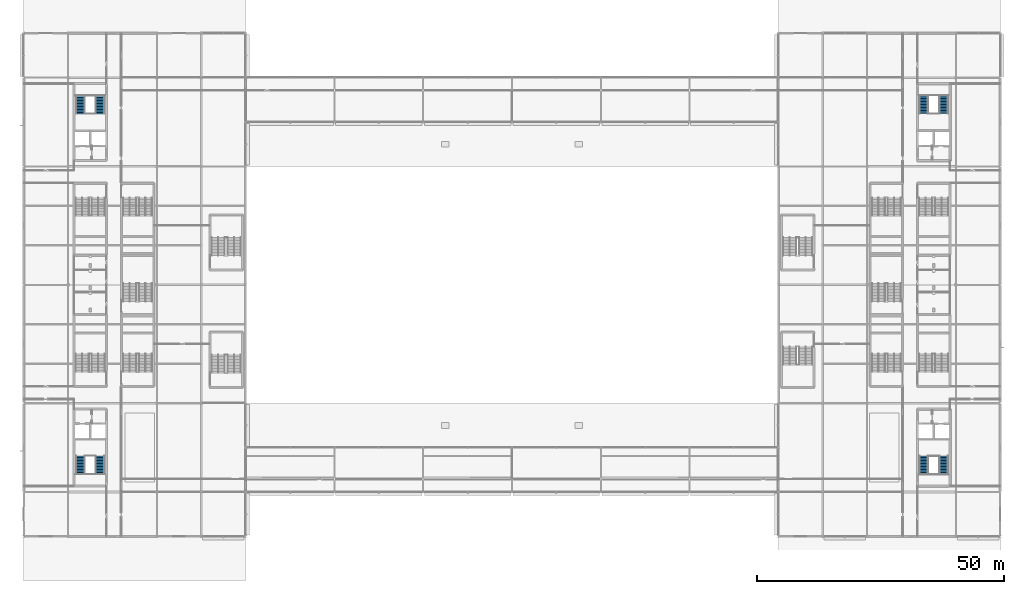
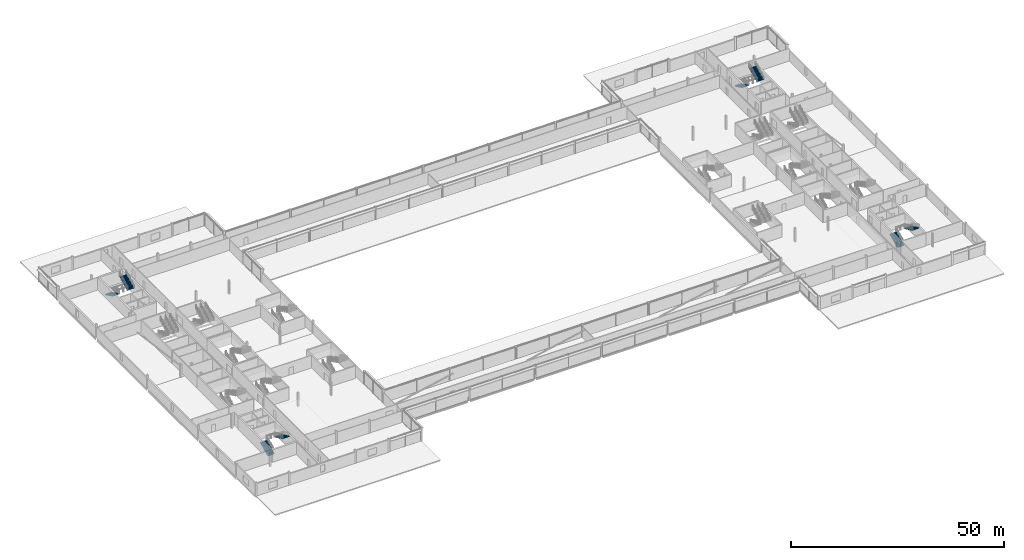
# One storey, part 72 of 105: 8 stair flights, 4 elements without a shape of their own.
"""IFC4 building model written with IfcOpenShell, lengths in metres."""

from ifc_helpers import new_model, si_unit, direction, frame, origin, place, context, subcontext, project, spatial, polyline, outline, extrude, material, type_object, element, aggregate, save


model = new_model("IFC4")

# Units and contexts
model_context = context("Model", 3, precision=1e-05, world=origin(), true_north=direction((0.0, 1.0)))
body_context = subcontext(model_context, "Body", "Model", "MODEL_VIEW")
ifc_project = project(units=[si_unit("LENGTHUNIT", "METRE"), si_unit("AREAUNIT", "SQUARE_METRE"), si_unit("VOLUMEUNIT", "CUBIC_METRE"), si_unit("PLANEANGLEUNIT", "RADIAN"), si_unit("MASSUNIT", "GRAM", prefix="KILO")], contexts=[model_context])

# Site, building, storey
site_placement = place(None, origin())
site = spatial("IfcSite", under=ifc_project, at=site_placement, CompositionType="ELEMENT")
building_placement = place(site_placement, origin())
building = spatial("IfcBuilding", under=site, at=building_placement, Name="Kisiwana Market Hall", CompositionType="ELEMENT")
storey_placement = place(building_placement, frame((0.0, 0.0, 21.60009765625)))
storey = spatial("IfcBuildingStorey", under=building, at=storey_placement, Name="L04", CompositionType="ELEMENT", Elevation=21.60009765625)

# Stair, stair flights
ifc_material_1 = material(Name="Concrete C32/40", Category="concrete")
stair_type = type_object("IfcStairType", Name="ST-TWR-3900", PredefinedType="TWO_STRAIGHT_RUN_STAIR", material=ifc_material_1)
stair_1_placement = place(storey_placement, origin())
stair_1 = element("IfcStair", 1, at=stair_1_placement, inside=storey, type_object=stair_type, Name="Escape stair ST-W2-L04", PredefinedType="TWO_STRAIGHT_RUN_STAIR")
ifc_material_2 = material(Name="Concrete C32/40", Category="concrete")
stair_flight_type = type_object("IfcStairFlightType", Name="SF-TWR-3900", PredefinedType="STRAIGHT", material=ifc_material_2)
stair_flight_1_placement = place(storey_placement, frame((11.5, 21.674560546875, 0.0), z_axis=(0.0, 0.0, 1.0), x_axis=(0.0, 1.0, 0.0)))
stair_flight_1 = element("IfcStairFlight", 2, at=stair_flight_1_placement, type_object=stair_flight_type, Name="ST-W2-L04 flight 1", NumberOfRisers=13, NumberOfTreads=12, PredefinedType="STRAIGHT", RiserHeight=0.15, TreadLength=0.305, context=body_context, shape_type="SweptSolid", body=[
    extrude(outline(polyline([(0.0, 0.0), (0.0, 0.14990234375), (0.304931640625, 0.14990234375), (0.304931640625, 0.300048828125), (0.610107421875, 0.300048828125), (0.610107421875, 0.449951171875), (0.9150390625, 0.449951171875), (0.9150390625, 0.60009765625), (1.219970703125, 0.60009765625), (1.219970703125, 0.75), (1.52490234375, 0.75), (1.52490234375, 0.89990234375), (1.830078125, 0.89990234375), (1.830078125, 1.050048828125), (2.135009765625, 1.050048828125), (2.135009765625, 1.199951171875), (2.43994140625, 1.199951171875), (2.43994140625, 1.35009765625), (2.7451171875, 1.35009765625), (2.7451171875, 1.5), (3.050048828125, 1.5), (3.050048828125, 1.64990234375), (3.35498046875, 1.64990234375), (3.35498046875, 1.800048828125), (3.659912109375, 1.800048828125), (3.659912109375, 1.949951171875), (3.659912109375, 1.599365234375), (0.40771484375, 0.0), (0.0, 0.0)])), frame((0.0, 0.925048828125, 0.0), z_axis=(0.0, -1.0, 0.0), x_axis=(1.0, 0.0, 0.0)), (0.0, 0.0, 1.0), 1.85009765625),
])
stair_flight_2_placement = place(storey_placement, frame((15.5, 25.33447265625, 1.949951171875), z_axis=(0.0, 0.0, 1.0), x_axis=(0.0, -1.0, 0.0)))
stair_flight_2 = element("IfcStairFlight", 3, at=stair_flight_2_placement, type_object=stair_flight_type, Name="ST-W2-L04 flight 2", NumberOfRisers=13, NumberOfTreads=12, PredefinedType="STRAIGHT", RiserHeight=0.15, TreadLength=0.305, context=body_context, shape_type="SweptSolid", body=[
    extrude(outline(polyline([(0.0, 0.0), (0.0, 0.14990234375), (0.304931640625, 0.14990234375), (0.304931640625, 0.300048828125), (0.610107421875, 0.300048828125), (0.610107421875, 0.449951171875), (0.9150390625, 0.449951171875), (0.9150390625, 0.60009765625), (1.219970703125, 0.60009765625), (1.219970703125, 0.75), (1.52490234375, 0.75), (1.52490234375, 0.89990234375), (1.830078125, 0.89990234375), (1.830078125, 1.050048828125), (2.135009765625, 1.050048828125), (2.135009765625, 1.199951171875), (2.43994140625, 1.199951171875), (2.43994140625, 1.35009765625), (2.7451171875, 1.35009765625), (2.7451171875, 1.5), (3.050048828125, 1.5), (3.050048828125, 1.64990234375), (3.35498046875, 1.64990234375), (3.35498046875, 1.800048828125), (3.659912109375, 1.800048828125), (3.659912109375, 1.949951171875), (3.659912109375, 1.599365234375), (0.40771484375, 0.0), (0.0, 0.0)])), frame((0.0, 0.925048828125, 0.0), z_axis=(0.0, -1.0, 0.0), x_axis=(1.0, 0.0, 0.0)), (0.0, 0.0, 1.0), 1.85009765625),
])
aggregate(stair_1, [stair_flight_1, stair_flight_2])

stair_2_placement = place(storey_placement, origin())
stair_2 = element("IfcStair", 4, at=stair_2_placement, inside=storey, type_object=stair_type, Name="Escape stair ST-W1-L04", PredefinedType="TWO_STRAIGHT_RUN_STAIR")
stair_flight_3_placement = place(storey_placement, frame((11.5, 98.325439453125, 0.0), z_axis=(0.0, 0.0, 1.0), x_axis=(0.0, -1.0, 0.0)))
stair_flight_3 = element("IfcStairFlight", 5, at=stair_flight_3_placement, type_object=stair_flight_type, Name="ST-W1-L04 flight 1", NumberOfRisers=13, NumberOfTreads=12, PredefinedType="STRAIGHT", RiserHeight=0.15, TreadLength=0.305, context=body_context, shape_type="SweptSolid", body=[
    extrude(outline(polyline([(0.0, 0.0), (0.0, 0.14990234375), (0.304931640625, 0.14990234375), (0.304931640625, 0.300048828125), (0.610107421875, 0.300048828125), (0.610107421875, 0.449951171875), (0.9150390625, 0.449951171875), (0.9150390625, 0.60009765625), (1.219970703125, 0.60009765625), (1.219970703125, 0.75), (1.52490234375, 0.75), (1.52490234375, 0.89990234375), (1.830078125, 0.89990234375), (1.830078125, 1.050048828125), (2.135009765625, 1.050048828125), (2.135009765625, 1.199951171875), (2.43994140625, 1.199951171875), (2.43994140625, 1.35009765625), (2.7451171875, 1.35009765625), (2.7451171875, 1.5), (3.050048828125, 1.5), (3.050048828125, 1.64990234375), (3.35498046875, 1.64990234375), (3.35498046875, 1.800048828125), (3.659912109375, 1.800048828125), (3.659912109375, 1.949951171875), (3.659912109375, 1.599365234375), (0.40771484375, 0.0), (0.0, 0.0)])), frame((0.0, 0.925048828125, 0.0), z_axis=(0.0, -1.0, 0.0), x_axis=(1.0, 0.0, 0.0)), (0.0, 0.0, 1.0), 1.85009765625),
])
stair_flight_4_placement = place(storey_placement, frame((15.5, 94.66552734375, 1.949951171875), z_axis=(0.0, 0.0, 1.0), x_axis=(0.0, 1.0, 0.0)))
stair_flight_4 = element("IfcStairFlight", 6, at=stair_flight_4_placement, type_object=stair_flight_type, Name="ST-W1-L04 flight 2", NumberOfRisers=13, NumberOfTreads=12, PredefinedType="STRAIGHT", RiserHeight=0.15, TreadLength=0.305, context=body_context, shape_type="SweptSolid", body=[
    extrude(outline(polyline([(0.0, 0.0), (0.0, 0.14990234375), (0.304931640625, 0.14990234375), (0.304931640625, 0.300048828125), (0.610107421875, 0.300048828125), (0.610107421875, 0.449951171875), (0.9150390625, 0.449951171875), (0.9150390625, 0.60009765625), (1.219970703125, 0.60009765625), (1.219970703125, 0.75), (1.52490234375, 0.75), (1.52490234375, 0.89990234375), (1.830078125, 0.89990234375), (1.830078125, 1.050048828125), (2.135009765625, 1.050048828125), (2.135009765625, 1.199951171875), (2.43994140625, 1.199951171875), (2.43994140625, 1.35009765625), (2.7451171875, 1.35009765625), (2.7451171875, 1.5), (3.050048828125, 1.5), (3.050048828125, 1.64990234375), (3.35498046875, 1.64990234375), (3.35498046875, 1.800048828125), (3.659912109375, 1.800048828125), (3.659912109375, 1.949951171875), (3.659912109375, 1.599365234375), (0.40771484375, 0.0), (0.0, 0.0)])), frame((0.0, 0.925048828125, 0.0), z_axis=(0.0, -1.0, 0.0), x_axis=(1.0, 0.0, 0.0)), (0.0, 0.0, 1.0), 1.85009765625),
])
aggregate(stair_2, [stair_flight_3, stair_flight_4])

stair_3_placement = place(storey_placement, origin())
stair_3 = element("IfcStair", 7, at=stair_3_placement, inside=storey, type_object=stair_type, Name="Escape stair ST-E2-L04", PredefinedType="TWO_STRAIGHT_RUN_STAIR")
stair_flight_5_placement = place(storey_placement, frame((182.47509765625, 21.6494140625, 0.0), z_axis=(0.0, 0.0, 1.0), x_axis=(0.0, 1.0, 0.0)))
stair_flight_5 = element("IfcStairFlight", 8, at=stair_flight_5_placement, type_object=stair_flight_type, Name="ST-E2-L04 flight 1", NumberOfRisers=13, NumberOfTreads=12, PredefinedType="STRAIGHT", RiserHeight=0.15, TreadLength=0.305, context=body_context, shape_type="SweptSolid", body=[
    extrude(outline(polyline([(0.0, 0.0), (0.0, 0.14990234375), (0.304931640625, 0.14990234375), (0.304931640625, 0.300048828125), (0.610107421875, 0.300048828125), (0.610107421875, 0.449951171875), (0.9150390625, 0.449951171875), (0.9150390625, 0.60009765625), (1.219970703125, 0.60009765625), (1.219970703125, 0.75), (1.52490234375, 0.75), (1.52490234375, 0.89990234375), (1.830078125, 0.89990234375), (1.830078125, 1.050048828125), (2.135009765625, 1.050048828125), (2.135009765625, 1.199951171875), (2.43994140625, 1.199951171875), (2.43994140625, 1.35009765625), (2.7451171875, 1.35009765625), (2.7451171875, 1.5), (3.050048828125, 1.5), (3.050048828125, 1.64990234375), (3.35498046875, 1.64990234375), (3.35498046875, 1.800048828125), (3.659912109375, 1.800048828125), (3.659912109375, 1.949951171875), (3.659912109375, 1.599365234375), (0.40771484375, 0.0), (0.0, 0.0)])), frame((0.0, 0.925048828125, 0.0), z_axis=(0.0, -1.0, 0.0), x_axis=(1.0, 0.0, 0.0)), (0.0, 0.0, 1.0), 1.85009765625),
])
stair_flight_6_placement = place(storey_placement, frame((186.52490234375, 25.3095703125, 1.949951171875), z_axis=(0.0, 0.0, 1.0), x_axis=(0.0, -1.0, 0.0)))
stair_flight_6 = element("IfcStairFlight", 9, at=stair_flight_6_placement, type_object=stair_flight_type, Name="ST-E2-L04 flight 2", NumberOfRisers=13, NumberOfTreads=12, PredefinedType="STRAIGHT", RiserHeight=0.15, TreadLength=0.305, context=body_context, shape_type="SweptSolid", body=[
    extrude(outline(polyline([(0.0, 0.0), (0.0, 0.14990234375), (0.304931640625, 0.14990234375), (0.304931640625, 0.300048828125), (0.610107421875, 0.300048828125), (0.610107421875, 0.449951171875), (0.9150390625, 0.449951171875), (0.9150390625, 0.60009765625), (1.219970703125, 0.60009765625), (1.219970703125, 0.75), (1.52490234375, 0.75), (1.52490234375, 0.89990234375), (1.830078125, 0.89990234375), (1.830078125, 1.050048828125), (2.135009765625, 1.050048828125), (2.135009765625, 1.199951171875), (2.43994140625, 1.199951171875), (2.43994140625, 1.35009765625), (2.7451171875, 1.35009765625), (2.7451171875, 1.5), (3.050048828125, 1.5), (3.050048828125, 1.64990234375), (3.35498046875, 1.64990234375), (3.35498046875, 1.800048828125), (3.659912109375, 1.800048828125), (3.659912109375, 1.949951171875), (3.659912109375, 1.599365234375), (0.40771484375, 0.0), (0.0, 0.0)])), frame((0.0, 0.925048828125, 0.0), z_axis=(0.0, -1.0, 0.0), x_axis=(1.0, 0.0, 0.0)), (0.0, 0.0, 1.0), 1.85009765625),
])
aggregate(stair_3, [stair_flight_5, stair_flight_6])

stair_4_placement = place(storey_placement, origin())
stair_4 = element("IfcStair", 10, at=stair_4_placement, inside=storey, type_object=stair_type, Name="Escape stair ST-E1-L04", PredefinedType="TWO_STRAIGHT_RUN_STAIR")
stair_flight_7_placement = place(storey_placement, frame((182.47509765625, 98.3505859375, 0.0), z_axis=(0.0, 0.0, 1.0), x_axis=(0.0, -1.0, 0.0)))
stair_flight_7 = element("IfcStairFlight", 11, at=stair_flight_7_placement, type_object=stair_flight_type, Name="ST-E1-L04 flight 1", NumberOfRisers=13, NumberOfTreads=12, PredefinedType="STRAIGHT", RiserHeight=0.15, TreadLength=0.305, context=body_context, shape_type="SweptSolid", body=[
    extrude(outline(polyline([(0.0, 0.0), (0.0, 0.14990234375), (0.304931640625, 0.14990234375), (0.304931640625, 0.300048828125), (0.610107421875, 0.300048828125), (0.610107421875, 0.449951171875), (0.9150390625, 0.449951171875), (0.9150390625, 0.60009765625), (1.219970703125, 0.60009765625), (1.219970703125, 0.75), (1.52490234375, 0.75), (1.52490234375, 0.89990234375), (1.830078125, 0.89990234375), (1.830078125, 1.050048828125), (2.135009765625, 1.050048828125), (2.135009765625, 1.199951171875), (2.43994140625, 1.199951171875), (2.43994140625, 1.35009765625), (2.7451171875, 1.35009765625), (2.7451171875, 1.5), (3.050048828125, 1.5), (3.050048828125, 1.64990234375), (3.35498046875, 1.64990234375), (3.35498046875, 1.800048828125), (3.659912109375, 1.800048828125), (3.659912109375, 1.949951171875), (3.659912109375, 1.599365234375), (0.40771484375, 0.0), (0.0, 0.0)])), frame((0.0, 0.925048828125, 0.0), z_axis=(0.0, -1.0, 0.0), x_axis=(1.0, 0.0, 0.0)), (0.0, 0.0, 1.0), 1.85009765625),
])
stair_flight_8_placement = place(storey_placement, frame((186.52490234375, 94.6904296875, 1.949951171875), z_axis=(0.0, 0.0, 1.0), x_axis=(0.0, 1.0, 0.0)))
stair_flight_8 = element("IfcStairFlight", 12, at=stair_flight_8_placement, type_object=stair_flight_type, Name="ST-E1-L04 flight 2", NumberOfRisers=13, NumberOfTreads=12, PredefinedType="STRAIGHT", RiserHeight=0.15, TreadLength=0.305, context=body_context, shape_type="SweptSolid", body=[
    extrude(outline(polyline([(0.0, 0.0), (0.0, 0.14990234375), (0.304931640625, 0.14990234375), (0.304931640625, 0.300048828125), (0.610107421875, 0.300048828125), (0.610107421875, 0.449951171875), (0.9150390625, 0.449951171875), (0.9150390625, 0.60009765625), (1.219970703125, 0.60009765625), (1.219970703125, 0.75), (1.52490234375, 0.75), (1.52490234375, 0.89990234375), (1.830078125, 0.89990234375), (1.830078125, 1.050048828125), (2.135009765625, 1.050048828125), (2.135009765625, 1.199951171875), (2.43994140625, 1.199951171875), (2.43994140625, 1.35009765625), (2.7451171875, 1.35009765625), (2.7451171875, 1.5), (3.050048828125, 1.5), (3.050048828125, 1.64990234375), (3.35498046875, 1.64990234375), (3.35498046875, 1.800048828125), (3.659912109375, 1.800048828125), (3.659912109375, 1.949951171875), (3.659912109375, 1.599365234375), (0.40771484375, 0.0), (0.0, 0.0)])), frame((0.0, 0.925048828125, 0.0), z_axis=(0.0, -1.0, 0.0), x_axis=(1.0, 0.0, 0.0)), (0.0, 0.0, 1.0), 1.85009765625),
])
aggregate(stair_4, [stair_flight_7, stair_flight_8])

save(model, "model.ifc")
